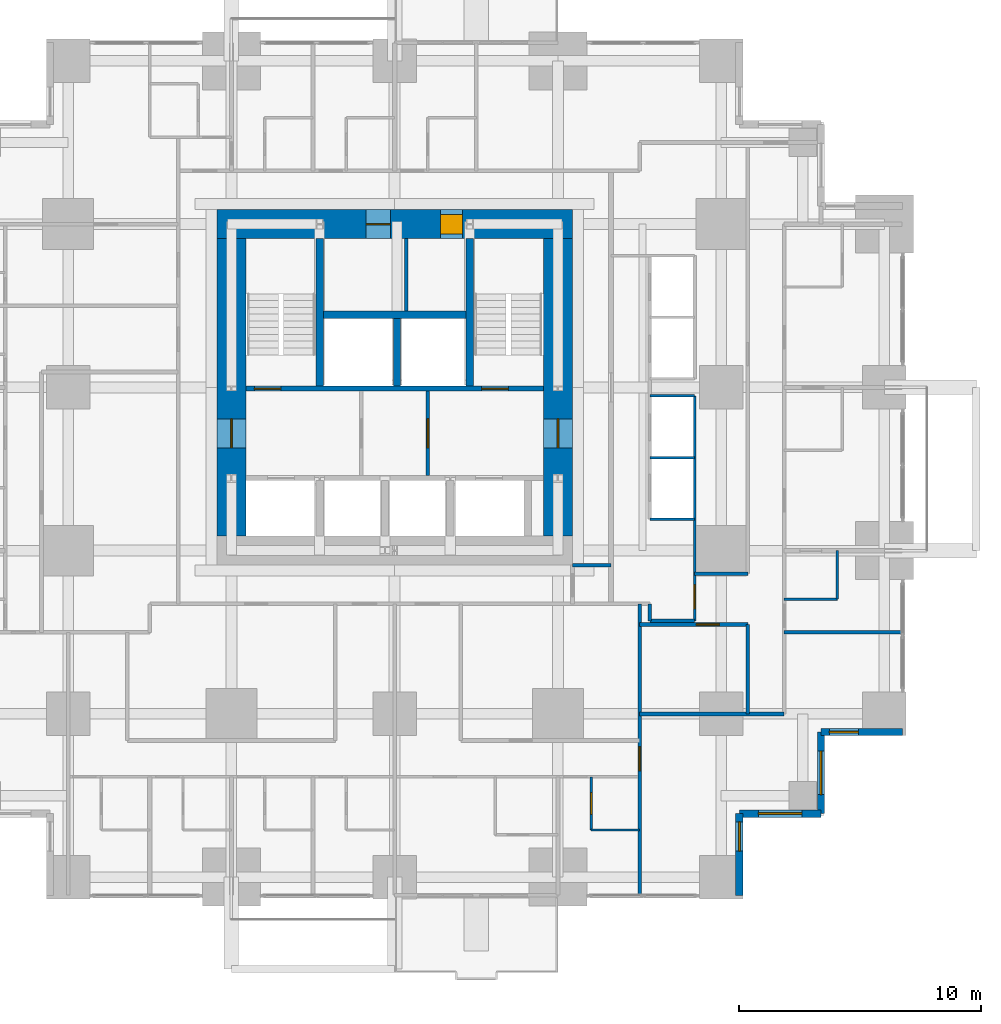
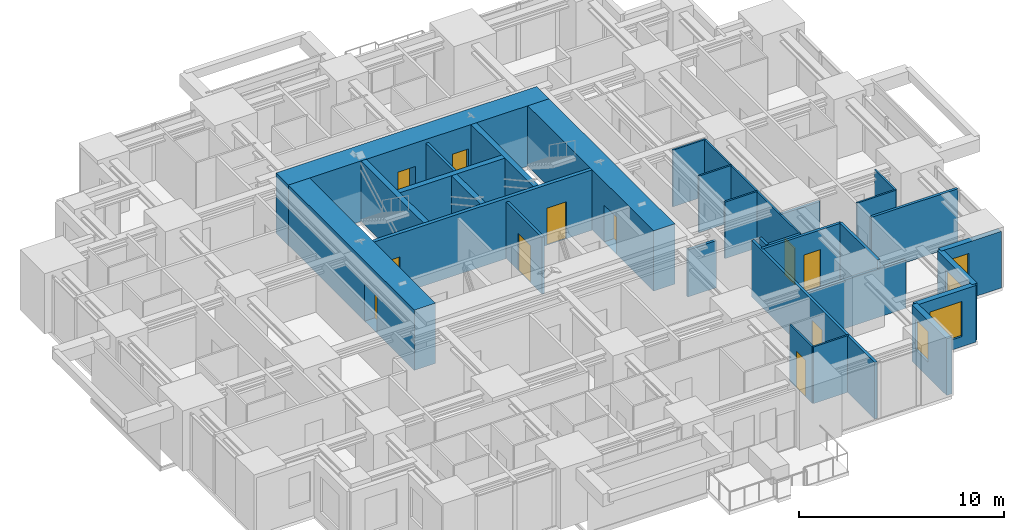
# One storey, part 9 of 13: 31 walls, 11 doors, 4 windows, 15 openings.
"""IFC4 building model written with IfcOpenShell, lengths in metres."""

from ifc_helpers import new_model, si_unit, direction, frame, frame_2d, origin, place, context, subcontext, project, spatial, rectangle, extrude, material, layer, layer_set, type_object, element, fill, save


model = new_model("IFC4")

# Units and contexts
model_context = context("Model", 3, precision=1e-05, world=origin(), true_north=direction((0.0, 1.0)))
body_context = subcontext(model_context, "Body", "Model", "MODEL_VIEW")
ifc_project = project(units=[si_unit("LENGTHUNIT", "METRE"), si_unit("AREAUNIT", "SQUARE_METRE"), si_unit("VOLUMEUNIT", "CUBIC_METRE"), si_unit("PLANEANGLEUNIT", "RADIAN"), si_unit("MASSUNIT", "GRAM", prefix="KILO")], contexts=[model_context])

# Site, building, storey
site_placement = place(None, origin())
site = spatial("IfcSite", under=ifc_project, at=site_placement, CompositionType="ELEMENT")
building_placement = place(site_placement, origin())
building = spatial("IfcBuilding", under=site, at=building_placement, Name="Nyansa Garden Tower", CompositionType="ELEMENT")
storey_placement = place(building_placement, frame((0.0, 0.0, 83.699951171875)))
storey = spatial("IfcBuildingStorey", under=building, at=storey_placement, Name="L22", CompositionType="ELEMENT", Elevation=83.699951171875)

# Wall, openings, doors
ifc_material_1 = material(Name="Concrete C70/85", Category="concrete")
ifc_layer_1 = layer(ifc_material_1, 0.199951171875)
ifc_layer_set_1 = layer_set([ifc_layer_1], Name="Core inner wall CI200")
wall_type_1 = type_object("IfcWallType", Name="Core inner wall CI200", PredefinedType="SHEAR", material=ifc_layer_set_1)
wall_1_placement = place(storey_placement, frame((14.10009765625, 20.199951171875, 0.0), z_axis=(0.0, 0.0, 1.0), x_axis=(1.0, 0.0, 0.0)))
wall_1 = element("IfcWall", 1, at=wall_1_placement, inside=storey, type_object=wall_type_1, Name="Core inner wall L22", PredefinedType="SHEAR", context=body_context, shape_type="SweptSolid", body=[
    extrude(rectangle(XDim=12.2998046875, YDim=0.199951171875, at=frame_2d((6.14990234375, 0.0))), origin(), (0.0, 0.0, 1.0), 3.60009765625),
])
opening_1_placement = place(wall_1_placement, frame((0.35009765625, 0.0, 0.0)))
opening_1 = element("IfcOpeningElement", 2, at=opening_1_placement, cuts=wall_1, Name="Opening D05", PredefinedType="OPENING", context=body_context, shape_type="SweptSolid", body=[
    extrude(rectangle(XDim=1.10009765625, YDim=2.199951171875, at=frame_2d((0.550048828125, 1.10009765625))), frame((0.0, 0.10986328125, 0.0), z_axis=(0.0, -1.0, 0.0), x_axis=(1.0, 0.0, 0.0)), (0.0, 0.0, 1.0), 0.219970703125),
])
opening_2_placement = place(wall_1_placement, frame((9.75, 0.0, 0.0)))
opening_2 = element("IfcOpeningElement", 3, at=opening_2_placement, cuts=wall_1, Name="Opening D05", PredefinedType="OPENING", context=body_context, shape_type="SweptSolid", body=[
    extrude(rectangle(XDim=1.10009765625, YDim=2.199951171875, at=frame_2d((0.550048828125, 1.10009765625))), frame((0.0, 0.10986328125, 0.0), z_axis=(0.0, -1.0, 0.0), x_axis=(1.0, 0.0, 0.0)), (0.0, 0.0, 1.0), 0.219970703125),
])
ifc_material_2 = material(Name="Steel door, 120 minute fire resisting", Category="steel")
door_type_1 = type_object("IfcDoorType", Name="Stair door D05 1100x2200", OperationType="SINGLE_SWING_LEFT", PredefinedType="DOOR", material=ifc_material_2)
door_1_placement = place(opening_1_placement, origin())
door_1 = element("IfcDoor", 4, at=door_1_placement, inside=storey, type_object=door_type_1, Name="Stair S1 door", OperationType="SINGLE_SWING_LEFT", OverallHeight=2.199951171875, OverallWidth=1.10009765625, PredefinedType="DOOR", context=body_context, shape_type="SweptSolid", body=[
    extrude(rectangle(XDim=1.10009765625, YDim=2.199951171875, at=frame_2d((0.550048828125, 1.10009765625))), frame((0.0, 0.02490234375, 0.0), z_axis=(0.0, -1.0, 0.0), x_axis=(1.0, 0.0, 0.0)), (0.0, 0.0, 1.0), 0.050048828125),
])
fill(opening_1, door_1)
door_2_placement = place(opening_2_placement, origin())
door_2 = element("IfcDoor", 5, at=door_2_placement, inside=storey, type_object=door_type_1, Name="Stair S2 door", OperationType="SINGLE_SWING_LEFT", OverallHeight=2.199951171875, OverallWidth=1.10009765625, PredefinedType="DOOR", context=body_context, shape_type="SweptSolid", body=[
    extrude(rectangle(XDim=1.10009765625, YDim=2.199951171875, at=frame_2d((0.550048828125, 1.10009765625))), frame((0.0, 0.02490234375, 0.0), z_axis=(0.0, -1.0, 0.0), x_axis=(1.0, 0.0, 0.0)), (0.0, 0.0, 1.0), 0.050048828125),
])
fill(opening_2, door_2)

# Walls
ifc_material_3 = material(Name="Concrete C70/85", Category="concrete")
ifc_layer_2 = layer(ifc_material_3, 0.300048828125)
ifc_layer_set_2 = layer_set([ifc_layer_2], Name="Core inner wall CI300")
wall_type_2 = type_object("IfcWallType", Name="Core inner wall CI300", PredefinedType="SHEAR", material=ifc_layer_set_2)
for number, where, z_axis, x_axis, name in (
    (6, (17.14990234375, 20.300048828125, 0.0), (0.0, 0.0, 1.0), (0.0, 1.0, 0.0), "Core inner wall L22"),
    (7, (23.35009765625, 20.300048828125, 0.0), (0.0, 0.0, 1.0), (0.0, 1.0, 0.0), "Core inner wall L22"),
):
    element("IfcWall", number, at=place(storey_placement, frame(where, z_axis=z_axis, x_axis=x_axis)), inside=storey, type_object=wall_type_2, Name=name, PredefinedType="SHEAR", context=body_context, shape_type="SweptSolid", body=[
        extrude(rectangle(XDim=6.099853515625, YDim=0.300048828125, at=frame_2d((3.0498046875, 0.0))), origin(), (0.0, 0.0, 1.0), 3.60009765625),
    ])
wall_2_placement = place(storey_placement, frame((20.35009765625, 20.300048828125, 0.0), z_axis=(0.0, 0.0, 1.0), x_axis=(0.0, 1.0, 0.0)))
element("IfcWall", 8, at=wall_2_placement, inside=storey, type_object=wall_type_2, Name="Core inner wall L22", PredefinedType="SHEAR", context=body_context, shape_type="SweptSolid", body=[
    extrude(rectangle(XDim=2.800048828125, YDim=0.300048828125, at=frame_2d((1.39990234375, 0.0))), origin(), (0.0, 0.0, 1.0), 3.60009765625),
])
wall_3_placement = place(storey_placement, frame((17.300048828125, 23.25, 0.0), z_axis=(0.0, 0.0, 1.0), x_axis=(1.0, 0.0, 0.0)))
element("IfcWall", 9, at=wall_3_placement, inside=storey, type_object=wall_type_2, Name="Core inner wall L22", PredefinedType="SHEAR", context=body_context, shape_type="SweptSolid", body=[
    extrude(rectangle(XDim=5.89990234375, YDim=0.300048828125, at=frame_2d((2.949951171875, 0.0))), origin(), (0.0, 0.0, 1.0), 3.60009765625),
])

# Wall, opening, door
ifc_material_4 = material(Name="Concrete C80/95", Category="concrete")
ifc_layer_3 = layer(ifc_material_4, 1.199951171875)
ifc_layer_set_3 = layer_set([ifc_layer_3], Name="Core wall CW1200")
wall_type_3 = type_object("IfcWallType", Name="Core wall CW1200", PredefinedType="SHEAR", material=ifc_layer_set_3)
wall_4_placement = place(storey_placement, frame((27.0, 14.10009765625, 0.0), z_axis=(0.0, 0.0, 1.0), x_axis=(0.0, 1.0, 0.0)))
wall_4 = element("IfcWall", 10, at=wall_4_placement, inside=storey, type_object=wall_type_3, Name="Core wall E L22", PredefinedType="SHEAR", context=body_context, shape_type="SweptSolid", body=[
    extrude(rectangle(XDim=12.2998046875, YDim=1.199951171875, at=frame_2d((6.14990234375, 0.0))), origin(), (0.0, 0.0, 1.0), 3.60009765625),
])
opening_3_placement = place(wall_4_placement, frame((3.64990234375, 0.0, 0.0)))
opening_3 = element("IfcOpeningElement", 11, at=opening_3_placement, cuts=wall_4, Name="Opening D06", PredefinedType="OPENING", context=body_context, shape_type="SweptSolid", body=[
    extrude(rectangle(XDim=1.199951171875, YDim=2.199951171875, at=frame_2d((0.60009765625, 1.10009765625))), frame((0.0, 0.60986328125, 0.0), z_axis=(0.0, -1.0, 0.0), x_axis=(1.0, 0.0, 0.0)), (0.0, 0.0, 1.0), 1.219970703125),
])
ifc_material_5 = material(Name="Steel door, 120 minute fire resisting", Category="steel")
door_type_2 = type_object("IfcDoorType", Name="Lobby door D06 1200x2200", OperationType="DOUBLE_DOOR_SINGLE_SWING", PredefinedType="DOOR", material=ifc_material_5)
door_3_placement = place(opening_3_placement, origin())
door_3 = element("IfcDoor", 12, at=door_3_placement, inside=storey, type_object=door_type_2, Name="Lift lobby door east", OperationType="DOUBLE_DOOR_SINGLE_SWING", OverallHeight=2.199951171875, OverallWidth=1.199951171875, PredefinedType="DOOR", context=body_context, shape_type="SweptSolid", body=[
    extrude(rectangle(XDim=1.199951171875, YDim=2.199951171875, at=frame_2d((0.60009765625, 1.10009765625))), frame((0.0, 0.02490234375, 0.0), z_axis=(0.0, -1.0, 0.0), x_axis=(1.0, 0.0, 0.0)), (0.0, 0.0, 1.0), 0.050048828125),
])
fill(opening_3, door_3)

# Wall, openings, doors
wall_5_placement = place(storey_placement, frame((27.60009765625, 27.0, 0.0), z_axis=(0.0, 0.0, 1.0), x_axis=(-1.0, 0.0, 0.0)))
wall_5 = element("IfcWall", 13, at=wall_5_placement, inside=storey, type_object=wall_type_3, Name="Core wall N L22", PredefinedType="SHEAR", context=body_context, shape_type="SweptSolid", body=[
    extrude(rectangle(XDim=14.7001953125, YDim=1.199951171875, at=frame_2d((7.35009765625, 0.0))), origin(), (0.0, 0.0, 1.0), 3.60009765625),
])
opening_4_placement = place(wall_5_placement, frame((4.550048828125, 0.0, 0.0)))
opening_4 = element("IfcOpeningElement", 14, at=opening_4_placement, cuts=wall_5, Name="Opening D15", PredefinedType="OPENING", context=body_context, shape_type="SweptSolid", body=[
    extrude(rectangle(XDim=0.89990234375, YDim=2.199951171875, at=frame_2d((0.449951171875, 1.10009765625))), frame((0.0, 0.60986328125, 0.0), z_axis=(0.0, -1.0, 0.0), x_axis=(1.0, 0.0, 0.0)), (0.0, 0.0, 1.0), 1.219970703125),
])
opening_5_placement = place(wall_5_placement, frame((7.52490234375, 0.0, 0.0)))
opening_5 = element("IfcOpeningElement", 15, at=opening_5_placement, cuts=wall_5, Name="Opening D07", PredefinedType="OPENING", context=body_context, shape_type="SweptSolid", body=[
    extrude(rectangle(XDim=1.0, YDim=2.199951171875, at=frame_2d((0.5, 1.10009765625))), frame((0.0, 0.60986328125, 0.0), z_axis=(0.0, -1.0, 0.0), x_axis=(1.0, 0.0, 0.0)), (0.0, 0.0, 1.0), 1.219970703125),
])
ifc_material_6 = material(Name="Timber flush door, 60 minute fire resisting, self-closing", Category="wood")
door_type_3 = type_object("IfcDoorType", Name="Core room door D15 900x2200", OperationType="SINGLE_SWING_LEFT", PredefinedType="DOOR", material=ifc_material_6)
door_4_placement = place(opening_4_placement, origin())
door_4 = element("IfcDoor", 16, at=door_4_placement, inside=storey, type_object=door_type_3, Name="Core room door", OperationType="SINGLE_SWING_LEFT", OverallHeight=2.199951171875, OverallWidth=0.89990234375, PredefinedType="DOOR", context=body_context, shape_type="SweptSolid", body=[
    extrude(rectangle(XDim=0.89990234375, YDim=2.199951171875, at=frame_2d((0.449951171875, 1.10009765625))), frame((0.0, 0.39990234375, 0.0), z_axis=(0.0, -1.0, 0.0), x_axis=(1.0, 0.0, 0.0)), (0.0, 0.0, 1.0), 0.800048828125),
])
fill(opening_4, door_4)
ifc_material_7 = material(Name="Steel door, 120 minute fire resisting", Category="steel")
door_type_4 = type_object("IfcDoorType", Name="Riser door D07 1000x2200", OperationType="SINGLE_SWING_LEFT", PredefinedType="DOOR", material=ifc_material_7)
door_5_placement = place(opening_5_placement, origin())
door_5 = element("IfcDoor", 17, at=door_5_placement, inside=storey, type_object=door_type_4, Name="Riser and refuse room door", OperationType="SINGLE_SWING_LEFT", OverallHeight=2.199951171875, OverallWidth=1.0, PredefinedType="DOOR", context=body_context, shape_type="SweptSolid", body=[
    extrude(rectangle(XDim=1.0, YDim=2.199951171875, at=frame_2d((0.5, 1.10009765625))), frame((0.0, 0.02490234375, 0.0), z_axis=(0.0, -1.0, 0.0), x_axis=(1.0, 0.0, 0.0)), (0.0, 0.0, 1.0), 0.050048828125),
])
fill(opening_5, door_5)

# Wall, opening, door
wall_6_placement = place(storey_placement, frame((13.5, 26.39990234375, 0.0), z_axis=(0.0, 0.0, 1.0), x_axis=(0.0, -1.0, 0.0)))
wall_6 = element("IfcWall", 18, at=wall_6_placement, inside=storey, type_object=wall_type_3, Name="Core wall W L22", PredefinedType="SHEAR", context=body_context, shape_type="SweptSolid", body=[
    extrude(rectangle(XDim=12.2998046875, YDim=1.199951171875, at=frame_2d((6.14990234375, 0.0))), origin(), (0.0, 0.0, 1.0), 3.60009765625),
])
opening_6_placement = place(wall_6_placement, frame((7.449951171875, 0.0, 0.0)))
opening_6 = element("IfcOpeningElement", 19, at=opening_6_placement, cuts=wall_6, Name="Opening D06", PredefinedType="OPENING", context=body_context, shape_type="SweptSolid", body=[
    extrude(rectangle(XDim=1.199951171875, YDim=2.199951171875, at=frame_2d((0.60009765625, 1.10009765625))), frame((0.0, 0.60986328125, 0.0), z_axis=(0.0, -1.0, 0.0), x_axis=(1.0, 0.0, 0.0)), (0.0, 0.0, 1.0), 1.219970703125),
])
door_6_placement = place(opening_6_placement, origin())
door_6 = element("IfcDoor", 20, at=door_6_placement, inside=storey, type_object=door_type_2, Name="Lift lobby door west", OperationType="DOUBLE_DOOR_SINGLE_SWING", OverallHeight=2.199951171875, OverallWidth=1.199951171875, PredefinedType="DOOR", context=body_context, shape_type="SweptSolid", body=[
    extrude(rectangle(XDim=1.199951171875, YDim=2.199951171875, at=frame_2d((0.60009765625, 1.10009765625))), frame((0.0, 0.02490234375, 0.0), z_axis=(0.0, -1.0, 0.0), x_axis=(1.0, 0.0, 0.0)), (0.0, 0.0, 1.0), 0.050048828125),
])
fill(opening_6, door_6)

# Walls
ifc_material_8 = material(Name="Steel-stud shaft wall, two layers fire-rated board, EI 120", Category="steel")
ifc_layer_4 = layer(ifc_material_8, 0.10009765625)
ifc_layer_set_4 = layer_set([ifc_layer_4], Name="Lift shaft wall SW100")
wall_type_4 = type_object("IfcWallType", Name="Lift shaft wall SW100", PredefinedType="SHEAR", material=ifc_layer_set_4)
for number, where, z_axis, x_axis, name in (
    (21, (30.800048828125, 14.800048828125, 0.0), (0.0, 0.0, 1.0), (1.0, 0.0, 0.0), "Lift shaft wall"),
    (22, (30.800048828125, 17.35009765625, 0.0), (0.0, 0.0, 1.0), (1.0, 0.0, 0.0), "Lift shaft wall"),
    (23, (30.800048828125, 19.89990234375, 0.0), (0.0, 0.0, 1.0), (1.0, 0.0, 0.0), "Lift shaft wall"),
):
    element("IfcWall", number, at=place(storey_placement, frame(where, z_axis=z_axis, x_axis=x_axis)), inside=storey, type_object=wall_type_4, Name=name, PredefinedType="SHEAR", context=body_context, shape_type="SweptSolid", body=[
        extrude(rectangle(XDim=1.849853515625, YDim=0.10009765625, at=frame_2d((0.9248046875, 0.0))), origin(), (0.0, 0.0, 1.0), 3.375),
    ])

# Wall, opening, door
wall_7_placement = place(storey_placement, frame((32.64990234375, 10.60009765625, 0.0), z_axis=(0.0, 0.0, 1.0), x_axis=(0.0, 1.0, 0.0)))
wall_7 = element("IfcWall", 24, at=wall_7_placement, inside=storey, type_object=wall_type_4, Name="Lift shaft wall", PredefinedType="SHEAR", context=body_context, shape_type="SweptSolid", body=[
    extrude(rectangle(XDim=9.2998046875, YDim=0.10009765625, at=frame_2d((4.64990234375, 0.0))), origin(), (0.0, 0.0, 1.0), 3.375),
])
opening_7_placement = place(wall_7_placement, frame((0.5, 0.0, 0.0)))
opening_7 = element("IfcOpeningElement", 25, at=opening_7_placement, cuts=wall_7, Name="Opening D03", PredefinedType="OPENING", context=body_context, shape_type="SweptSolid", body=[
    extrude(rectangle(XDim=1.0, YDim=2.199951171875, at=frame_2d((0.5, 1.10009765625))), frame((0.0, 0.06005859375, 0.0), z_axis=(0.0, -1.0, 0.0), x_axis=(1.0, 0.0, 0.0)), (0.0, 0.0, 1.0), 0.1201171875),
])
ifc_material_9 = material(Name="Timber flush door, 60 minute fire resisting", Category="wood")
door_type_5 = type_object("IfcDoorType", Name="Cluster entrance door D03 1000x2200", OperationType="SINGLE_SWING_LEFT", PredefinedType="DOOR", material=ifc_material_9)
door_7_placement = place(opening_7_placement, origin())
door_7 = element("IfcDoor", 26, at=door_7_placement, inside=storey, type_object=door_type_5, Name="Door L22-041", OperationType="SINGLE_SWING_LEFT", OverallHeight=2.199951171875, OverallWidth=1.0, PredefinedType="DOOR", context=body_context, shape_type="SweptSolid", body=[
    extrude(rectangle(XDim=1.0, YDim=2.199951171875, at=frame_2d((0.5, 1.10009765625))), frame((0.0, 0.02490234375, 0.0), z_axis=(0.0, -1.0, 0.0), x_axis=(1.0, 0.0, 0.0)), (0.0, 0.0, 1.0), 0.050048828125),
])
fill(opening_7, door_7)

ifc_material_10 = material(Name="Blockwork, plastered both sides", Category="masonry")
ifc_layer_5 = layer(ifc_material_10, 0.14990234375)
ifc_layer_set_5 = layer_set([ifc_layer_5], Name="Partition PW150")
wall_type_5 = type_object("IfcWallType", Name="Partition PW150", PredefinedType="PARTITIONING", material=ifc_layer_set_5)
wall_8_placement = place(storey_placement, frame((21.625, 16.60009765625, 0.0), z_axis=(0.0, 0.0, 1.0), x_axis=(0.0, 1.0, 0.0)))
wall_8 = element("IfcWall", 27, at=wall_8_placement, inside=storey, type_object=wall_type_5, Name="Partition", PredefinedType="PARTITIONING", context=body_context, shape_type="SweptSolid", body=[
    extrude(rectangle(XDim=3.5, YDim=0.14990234375, at=frame_2d((1.75, 0.0))), origin(), (0.0, 0.0, 1.0), 3.375),
])
opening_8_placement = place(wall_8_placement, frame((1.14990234375, 0.0, 0.0)))
opening_8 = element("IfcOpeningElement", 28, at=opening_8_placement, cuts=wall_8, Name="Opening D06", PredefinedType="OPENING", context=body_context, shape_type="SweptSolid", body=[
    extrude(rectangle(XDim=1.199951171875, YDim=2.199951171875, at=frame_2d((0.60009765625, 1.10009765625))), frame((0.0, 0.0849609375, 0.0), z_axis=(0.0, -1.0, 0.0), x_axis=(1.0, 0.0, 0.0)), (0.0, 0.0, 1.0), 0.169921875),
])
door_8_placement = place(opening_8_placement, origin())
door_8 = element("IfcDoor", 29, at=door_8_placement, inside=storey, type_object=door_type_2, Name="Passenger lift lobby door", OperationType="DOUBLE_DOOR_SINGLE_SWING", OverallHeight=2.199951171875, OverallWidth=1.199951171875, PredefinedType="DOOR", context=body_context, shape_type="SweptSolid", body=[
    extrude(rectangle(XDim=1.199951171875, YDim=2.199951171875, at=frame_2d((0.60009765625, 1.10009765625))), frame((0.0, 0.02490234375, 0.0), z_axis=(0.0, -1.0, 0.0), x_axis=(1.0, 0.0, 0.0)), (0.0, 0.0, 1.0), 0.050048828125),
])
fill(opening_8, door_8)

# Walls
wall_9_placement = place(storey_placement, frame((20.72509765625, 23.39990234375, 0.0), z_axis=(0.0, 0.0, 1.0), x_axis=(0.0, 1.0, 0.0)))
element("IfcWall", 30, at=wall_9_placement, inside=storey, type_object=wall_type_5, Name="Partition", PredefinedType="PARTITIONING", context=body_context, shape_type="SweptSolid", body=[
    extrude(rectangle(XDim=3.0, YDim=0.14990234375, at=frame_2d((1.5, 0.0))), origin(), (0.0, 0.0, 1.0), 3.375),
])
wall_10_placement = place(storey_placement, frame((27.60009765625, 12.89990234375, 0.0), z_axis=(0.0, 0.0, 1.0), x_axis=(1.0, 0.0, 0.0)))
element("IfcWall", 31, at=wall_10_placement, inside=storey, type_object=wall_type_5, Name="Partition", PredefinedType="PARTITIONING", context=body_context, shape_type="SweptSolid", body=[
    extrude(rectangle(XDim=1.599853515625, YDim=0.14990234375, at=frame_2d((0.7998046875, 0.0))), origin(), (0.0, 0.0, 1.0), 2.80615234375),
])

# Wall, opening, door
wall_11_placement = place(storey_placement, frame((30.375, -0.73388671875, 0.0), z_axis=(0.0, 0.0, 1.0), x_axis=(0.0, 1.0, 0.0)))
wall_11 = element("IfcWall", 32, at=wall_11_placement, inside=storey, type_object=wall_type_5, Name="Partition", PredefinedType="PARTITIONING", context=body_context, shape_type="SweptSolid", body=[
    extrude(rectangle(XDim=12.033935546875, YDim=0.14990234375, at=frame_2d((6.01708984375, 0.0))), origin(), (0.0, 0.0, 1.0), 3.375),
])
opening_9_placement = place(wall_11_placement, frame((5.134033203125, 0.0, 0.0)))
opening_9 = element("IfcOpeningElement", 33, at=opening_9_placement, cuts=wall_11, Name="Opening D03", PredefinedType="OPENING", context=body_context, shape_type="SweptSolid", body=[
    extrude(rectangle(XDim=1.0, YDim=2.199951171875, at=frame_2d((0.5, 1.10009765625))), frame((0.0, 0.0849609375, 0.0), z_axis=(0.0, -1.0, 0.0), x_axis=(1.0, 0.0, 0.0)), (0.0, 0.0, 1.0), 0.169921875),
])
door_9_placement = place(opening_9_placement, origin())
door_9 = element("IfcDoor", 34, at=door_9_placement, inside=storey, type_object=door_type_5, Name="Door L22-034", OperationType="SINGLE_SWING_LEFT", OverallHeight=2.199951171875, OverallWidth=1.0, PredefinedType="DOOR", context=body_context, shape_type="SweptSolid", body=[
    extrude(rectangle(XDim=1.0, YDim=2.199951171875, at=frame_2d((0.5, 1.10009765625))), frame((0.0, 0.02490234375, 0.0), z_axis=(0.0, -1.0, 0.0), x_axis=(1.0, 0.0, 0.0)), (0.0, 0.0, 1.0), 0.050048828125),
])
fill(opening_9, door_9)

# Wall
wall_12_placement = place(storey_placement, frame((30.375, 6.75, 0.0), z_axis=(0.0, 0.0, 1.0), x_axis=(1.0, 0.0, 0.0)))
element("IfcWall", 35, at=wall_12_placement, inside=storey, type_object=wall_type_5, Name="Partition", PredefinedType="PARTITIONING", context=body_context, shape_type="SweptSolid", body=[
    extrude(rectangle(XDim=5.97509765625, YDim=0.14990234375, at=frame_2d((2.987548828125, 0.0))), origin(), (0.0, 0.0, 1.0), 2.876953125),
])

# Wall, opening, door
wall_13_placement = place(storey_placement, frame((30.375, 10.449951171875, 0.0), z_axis=(0.0, 0.0, 1.0), x_axis=(1.0, 0.0, 0.0)))
wall_13 = element("IfcWall", 36, at=wall_13_placement, inside=storey, type_object=wall_type_5, Name="Partition", PredefinedType="PARTITIONING", context=body_context, shape_type="SweptSolid", body=[
    extrude(rectangle(XDim=4.47509765625, YDim=0.14990234375, at=frame_2d((2.237548828125, 0.0))), origin(), (0.0, 0.0, 1.0), 3.375),
])
opening_10_placement = place(wall_13_placement, frame((2.35009765625, 0.0, 0.0)))
opening_10 = element("IfcOpeningElement", 37, at=opening_10_placement, cuts=wall_13, Name="Opening D01", PredefinedType="OPENING", context=body_context, shape_type="SweptSolid", body=[
    extrude(rectangle(XDim=0.949951171875, YDim=2.199951171875, at=frame_2d((0.47509765625, 1.10009765625))), frame((0.0, 0.0849609375, 0.0), z_axis=(0.0, -1.0, 0.0), x_axis=(1.0, 0.0, 0.0)), (0.0, 0.0, 1.0), 0.169921875),
])
ifc_material_11 = material(Name="Timber flush door, 30 minute fire resisting", Category="wood")
door_type_6 = type_object("IfcDoorType", Name="Bedroom door D01 950x2200", OperationType="SINGLE_SWING_LEFT", PredefinedType="DOOR", material=ifc_material_11)
door_10_placement = place(opening_10_placement, origin())
door_10 = element("IfcDoor", 38, at=door_10_placement, inside=storey, type_object=door_type_6, Name="Door L22-043", OperationType="SINGLE_SWING_LEFT", OverallHeight=2.199951171875, OverallWidth=0.949951171875, PredefinedType="DOOR", context=body_context, shape_type="SweptSolid", body=[
    extrude(rectangle(XDim=0.949951171875, YDim=2.199951171875, at=frame_2d((0.47509765625, 1.10009765625))), frame((0.0, 0.02490234375, 0.0), z_axis=(0.0, -1.0, 0.0), x_axis=(1.0, 0.0, 0.0)), (0.0, 0.0, 1.0), 0.050048828125),
])
fill(opening_10, door_10)

# Walls
wall_14_placement = place(storey_placement, frame((30.800048828125, 10.60009765625, 0.0), z_axis=(0.0, 0.0, 1.0), x_axis=(0.0, 1.0, 0.0)))
element("IfcWall", 39, at=wall_14_placement, inside=storey, type_object=wall_type_5, Name="Partition", PredefinedType="PARTITIONING", context=body_context, shape_type="SweptSolid", body=[
    extrude(rectangle(XDim=0.699951171875, YDim=0.14990234375, at=frame_2d((0.35009765625, 0.0))), origin(), (0.0, 0.0, 1.0), 3.375),
])
wall_15_placement = place(storey_placement, frame((30.800048828125, 10.60009765625, 0.0), z_axis=(0.0, 0.0, 1.0), x_axis=(1.0, 0.0, 0.0)))
element("IfcWall", 40, at=wall_15_placement, inside=storey, type_object=wall_type_5, Name="Partition", PredefinedType="PARTITIONING", context=body_context, shape_type="SweptSolid", body=[
    extrude(rectangle(XDim=1.849853515625, YDim=0.14990234375, at=frame_2d((0.9248046875, 0.0))), origin(), (0.0, 0.0, 1.0), 3.375),
])
wall_16_placement = place(storey_placement, frame((32.64990234375, 12.550048828125, 0.0), z_axis=(0.0, 0.0, 1.0), x_axis=(1.0, 0.0, 0.0)))
element("IfcWall", 41, at=wall_16_placement, inside=storey, type_object=wall_type_5, Name="Partition", PredefinedType="PARTITIONING", context=body_context, shape_type="SweptSolid", body=[
    extrude(rectangle(XDim=2.2001953125, YDim=0.14990234375, at=frame_2d((1.10009765625, 0.0))), origin(), (0.0, 0.0, 1.0), 3.375),
])
wall_17_placement = place(storey_placement, frame((34.85009765625, 6.75, 0.0), z_axis=(0.0, 0.0, 1.0), x_axis=(0.0, 1.0, 0.0)))
element("IfcWall", 42, at=wall_17_placement, inside=storey, type_object=wall_type_5, Name="Partition", PredefinedType="PARTITIONING", context=body_context, shape_type="SweptSolid", body=[
    extrude(rectangle(XDim=3.699951171875, YDim=0.14990234375, at=frame_2d((1.85009765625, 0.0))), origin(), (0.0, 0.0, 1.0), 3.375),
])
wall_18_placement = place(storey_placement, frame((36.35009765625, 10.125, 0.0), z_axis=(0.0, 0.0, 1.0), x_axis=(1.0, 0.0, 0.0)))
element("IfcWall", 43, at=wall_18_placement, inside=storey, type_object=wall_type_5, Name="Partition", PredefinedType="PARTITIONING", context=body_context, shape_type="SweptSolid", body=[
    extrude(rectangle(XDim=4.8837890625, YDim=0.14990234375, at=frame_2d((2.44189453125, 0.0))), origin(), (0.0, 0.0, 1.0), 3.375),
])

# Wall, opening, window
ifc_material_12 = material(Name="Turquoise glazed tile on concrete blockwork", Category="masonry")
ifc_layer_6 = layer(ifc_material_12, 0.300048828125)
ifc_layer_set_6 = layer_set([ifc_layer_6], Name="Tiled corner wall TW300")
wall_type_6 = type_object("IfcWallType", Name="Tiled corner wall TW300", PredefinedType="SOLIDWALL", material=ifc_layer_set_6)
wall_19_placement = place(storey_placement, frame((34.5, -0.75, 0.0), z_axis=(0.0, 0.0, 1.0), x_axis=(0.0, 1.0, 0.0)))
wall_19 = element("IfcWall", 44, at=wall_19_placement, inside=storey, type_object=wall_type_6, Name="Tiled corner wall L22", PredefinedType="SOLIDWALL", context=body_context, shape_type="SweptSolid", body=[
    extrude(rectangle(XDim=3.375, YDim=0.300048828125, at=frame_2d((1.6875, 0.0))), origin(), (0.0, 0.0, 1.0), 3.375),
])
opening_11_placement = place(wall_19_placement, frame((1.83251953125, 0.0, 0.89990234375)))
opening_11 = element("IfcOpeningElement", 45, at=opening_11_placement, cuts=wall_19, Name="Opening W4", PredefinedType="OPENING", context=body_context, shape_type="SweptSolid", body=[
    extrude(rectangle(XDim=1.199951171875, YDim=1.800048828125, at=frame_2d((0.60009765625, 0.89990234375))), frame((0.0, 0.159912109375, 0.0), z_axis=(0.0, -1.0, 0.0), x_axis=(1.0, 0.0, 0.0)), (0.0, 0.0, 1.0), 0.320068359375),
])
ifc_material_13 = material(Name="Black aluminium frame, dark tinted double glazing", Category="aluminium")
window_type_1 = type_object("IfcWindowType", Name="Window W4 1200x1800", PartitioningType="SINGLE_PANEL", PredefinedType="WINDOW", material=ifc_material_13)
window_1_placement = place(opening_11_placement, origin())
window_1 = element("IfcWindow", 46, at=window_1_placement, inside=storey, type_object=window_type_1, Name="Corner window L22", OverallHeight=1.800048828125, OverallWidth=1.199951171875, PartitioningType="SINGLE_PANEL", PredefinedType="WINDOW", context=body_context, shape_type="SweptSolid", body=[
    extrude(rectangle(XDim=1.199951171875, YDim=1.800048828125, at=frame_2d((0.60009765625, 0.89990234375))), frame((0.0, 0.030029296875, 0.0), z_axis=(0.0, -1.0, 0.0), x_axis=(1.0, 0.0, 0.0)), (0.0, 0.0, 1.0), 0.06005859375),
])
fill(opening_11, window_1)

wall_20_placement = place(storey_placement, frame((34.5, 2.625, 0.0), z_axis=(0.0, 0.0, 1.0), x_axis=(1.0, 0.0, 0.0)))
wall_20 = element("IfcWall", 47, at=wall_20_placement, inside=storey, type_object=wall_type_6, Name="Tiled corner wall L22", PredefinedType="SOLIDWALL", context=body_context, shape_type="SweptSolid", body=[
    extrude(rectangle(XDim=3.375, YDim=0.300048828125, at=frame_2d((1.6875, 0.0))), origin(), (0.0, 0.0, 1.0), 3.375),
])
opening_12_placement = place(wall_20_placement, frame((0.78759765625, 0.0, 0.60009765625)))
opening_12 = element("IfcOpeningElement", 48, at=opening_12_placement, cuts=wall_20, Name="Opening W2", PredefinedType="OPENING", context=body_context, shape_type="SweptSolid", body=[
    extrude(rectangle(XDim=1.800048828125, YDim=2.10009765625, at=frame_2d((0.89990234375, 1.050048828125))), frame((0.0, 0.159912109375, 0.0), z_axis=(0.0, -1.0, 0.0), x_axis=(1.0, 0.0, 0.0)), (0.0, 0.0, 1.0), 0.320068359375),
])
ifc_material_14 = material(Name="Black aluminium frame, dark tinted double glazing", Category="aluminium")
window_type_2 = type_object("IfcWindowType", Name="Window W2 1800x2100", PartitioningType="SINGLE_PANEL", PredefinedType="WINDOW", material=ifc_material_14)
window_2_placement = place(opening_12_placement, origin())
window_2 = element("IfcWindow", 49, at=window_2_placement, inside=storey, type_object=window_type_2, Name="Corner window L22", OverallHeight=2.10009765625, OverallWidth=1.800048828125, PartitioningType="SINGLE_PANEL", PredefinedType="WINDOW", context=body_context, shape_type="SweptSolid", body=[
    extrude(rectangle(XDim=1.800048828125, YDim=2.10009765625, at=frame_2d((0.89990234375, 1.050048828125))), frame((0.0, 0.030029296875, 0.0), z_axis=(0.0, -1.0, 0.0), x_axis=(1.0, 0.0, 0.0)), (0.0, 0.0, 1.0), 0.06005859375),
])
fill(opening_12, window_2)

wall_21_placement = place(storey_placement, frame((37.875, 2.625, 0.0), z_axis=(0.0, 0.0, 1.0), x_axis=(0.0, 1.0, 0.0)))
wall_21 = element("IfcWall", 50, at=wall_21_placement, inside=storey, type_object=wall_type_6, Name="Tiled corner wall L22", PredefinedType="SOLIDWALL", context=body_context, shape_type="SweptSolid", body=[
    extrude(rectangle(XDim=3.375, YDim=0.300048828125, at=frame_2d((1.6875, 0.0))), origin(), (0.0, 0.0, 1.0), 3.375),
])
opening_13_placement = place(wall_21_placement, frame((0.78759765625, 0.0, 0.60009765625)))
opening_13 = element("IfcOpeningElement", 51, at=opening_13_placement, cuts=wall_21, Name="Opening W2", PredefinedType="OPENING", context=body_context, shape_type="SweptSolid", body=[
    extrude(rectangle(XDim=1.800048828125, YDim=2.10009765625, at=frame_2d((0.89990234375, 1.050048828125))), frame((0.0, 0.159912109375, 0.0), z_axis=(0.0, -1.0, 0.0), x_axis=(1.0, 0.0, 0.0)), (0.0, 0.0, 1.0), 0.320068359375),
])
window_3_placement = place(opening_13_placement, origin())
window_3 = element("IfcWindow", 52, at=window_3_placement, inside=storey, type_object=window_type_2, Name="Corner window L22", OverallHeight=2.10009765625, OverallWidth=1.800048828125, PartitioningType="SINGLE_PANEL", PredefinedType="WINDOW", context=body_context, shape_type="SweptSolid", body=[
    extrude(rectangle(XDim=1.800048828125, YDim=2.10009765625, at=frame_2d((0.89990234375, 1.050048828125))), frame((0.0, 0.030029296875, 0.0), z_axis=(0.0, -1.0, 0.0), x_axis=(1.0, 0.0, 0.0)), (0.0, 0.0, 1.0), 0.06005859375),
])
fill(opening_13, window_3)

wall_22_placement = place(storey_placement, frame((37.875, 6.0, 0.0), z_axis=(0.0, 0.0, 1.0), x_axis=(1.0, 0.0, 0.0)))
wall_22 = element("IfcWall", 53, at=wall_22_placement, inside=storey, type_object=wall_type_6, Name="Tiled corner wall L22", PredefinedType="SOLIDWALL", context=body_context, shape_type="SweptSolid", body=[
    extrude(rectangle(XDim=3.375, YDim=0.300048828125, at=frame_2d((1.6875, 0.0))), origin(), (0.0, 0.0, 1.0), 3.375),
])
opening_14_placement = place(wall_22_placement, frame((0.342529296875, 0.0, 0.89990234375)))
opening_14 = element("IfcOpeningElement", 54, at=opening_14_placement, cuts=wall_22, Name="Opening W4", PredefinedType="OPENING", context=body_context, shape_type="SweptSolid", body=[
    extrude(rectangle(XDim=1.199951171875, YDim=1.800048828125, at=frame_2d((0.60009765625, 0.89990234375))), frame((0.0, 0.159912109375, 0.0), z_axis=(0.0, -1.0, 0.0), x_axis=(1.0, 0.0, 0.0)), (0.0, 0.0, 1.0), 0.320068359375),
])
window_4_placement = place(opening_14_placement, origin())
window_4 = element("IfcWindow", 55, at=window_4_placement, inside=storey, type_object=window_type_1, Name="Corner window L22", OverallHeight=1.800048828125, OverallWidth=1.199951171875, PartitioningType="SINGLE_PANEL", PredefinedType="WINDOW", context=body_context, shape_type="SweptSolid", body=[
    extrude(rectangle(XDim=1.199951171875, YDim=1.800048828125, at=frame_2d((0.60009765625, 0.89990234375))), frame((0.0, 0.030029296875, 0.0), z_axis=(0.0, -1.0, 0.0), x_axis=(1.0, 0.0, 0.0)), (0.0, 0.0, 1.0), 0.06005859375),
])
fill(opening_14, window_4)

# Wall, opening, door
ifc_material_15 = material(Name="Moisture resistant board on steel studs, tiled", Category="steel")
ifc_layer_7 = layer(ifc_material_15, 0.10009765625)
ifc_layer_set_7 = layer_set([ifc_layer_7], Name="Wet wall PW100")
wall_type_7 = type_object("IfcWallType", Name="Wet wall PW100", PredefinedType="PARTITIONING", material=ifc_layer_set_7)
wall_23_placement = place(storey_placement, frame((28.375, 1.949951171875, 0.0), z_axis=(0.0, 0.0, 1.0), x_axis=(0.0, 1.0, 0.0)))
wall_23 = element("IfcWall", 56, at=wall_23_placement, inside=storey, type_object=wall_type_7, Name="Wet wall", PredefinedType="PARTITIONING", context=body_context, shape_type="SweptSolid", body=[
    extrude(rectangle(XDim=2.199951171875, YDim=0.10009765625, at=frame_2d((1.10009765625, 0.0))), origin(), (0.0, 0.0, 1.0), 3.375),
])
opening_15_placement = place(wall_23_placement, frame((0.64990234375, 0.0, 0.0)))
opening_15 = element("IfcOpeningElement", 57, at=opening_15_placement, cuts=wall_23, Name="Opening D02", PredefinedType="OPENING", context=body_context, shape_type="SweptSolid", body=[
    extrude(rectangle(XDim=0.89990234375, YDim=2.199951171875, at=frame_2d((0.449951171875, 1.10009765625))), frame((0.0, 0.06005859375, 0.0), z_axis=(0.0, -1.0, 0.0), x_axis=(1.0, 0.0, 0.0)), (0.0, 0.0, 1.0), 0.1201171875),
])
ifc_material_16 = material(Name="Timber flush door", Category="wood")
door_type_7 = type_object("IfcDoorType", Name="En-suite door D02 900x2200", OperationType="SINGLE_SWING_RIGHT", PredefinedType="DOOR", material=ifc_material_16)
door_11_placement = place(opening_15_placement, origin())
door_11 = element("IfcDoor", 58, at=door_11_placement, inside=storey, type_object=door_type_7, Name="Door L22-030", OperationType="SINGLE_SWING_RIGHT", OverallHeight=2.199951171875, OverallWidth=0.89990234375, PredefinedType="DOOR", context=body_context, shape_type="SweptSolid", body=[
    extrude(rectangle(XDim=0.89990234375, YDim=2.199951171875, at=frame_2d((0.449951171875, 1.10009765625))), frame((0.0, 0.02490234375, 0.0), z_axis=(0.0, -1.0, 0.0), x_axis=(1.0, 0.0, 0.0)), (0.0, 0.0, 1.0), 0.050048828125),
])
fill(opening_15, door_11)

# Walls
wall_24_placement = place(storey_placement, frame((28.375, 1.949951171875, 0.0), z_axis=(0.0, 0.0, 1.0), x_axis=(1.0, 0.0, 0.0)))
element("IfcWall", 59, at=wall_24_placement, inside=storey, type_object=wall_type_7, Name="Wet wall", PredefinedType="PARTITIONING", context=body_context, shape_type="SweptSolid", body=[
    extrude(rectangle(XDim=2.0, YDim=0.10009765625, at=frame_2d((1.0, 0.0))), origin(), (0.0, 0.0, 1.0), 3.375),
])
wall_25_placement = place(storey_placement, frame((36.35009765625, 11.5, 0.0), z_axis=(0.0, 0.0, 1.0), x_axis=(1.0, 0.0, 0.0)))
element("IfcWall", 60, at=wall_25_placement, inside=storey, type_object=wall_type_7, Name="Wet wall", PredefinedType="PARTITIONING", context=body_context, shape_type="SweptSolid", body=[
    extrude(rectangle(XDim=2.199951171875, YDim=0.10009765625, at=frame_2d((1.10009765625, 0.0))), origin(), (0.0, 0.0, 1.0), 3.375),
])
wall_26_placement = place(storey_placement, frame((38.550048828125, 11.5, 0.0), z_axis=(0.0, 0.0, 1.0), x_axis=(0.0, 1.0, 0.0)))
element("IfcWall", 61, at=wall_26_placement, inside=storey, type_object=wall_type_7, Name="Wet wall", PredefinedType="PARTITIONING", context=body_context, shape_type="SweptSolid", body=[
    extrude(rectangle(XDim=2.0, YDim=0.10009765625, at=frame_2d((1.0, 0.0))), origin(), (0.0, 0.0, 1.0), 3.375),
])

save(model, "model.ifc")
